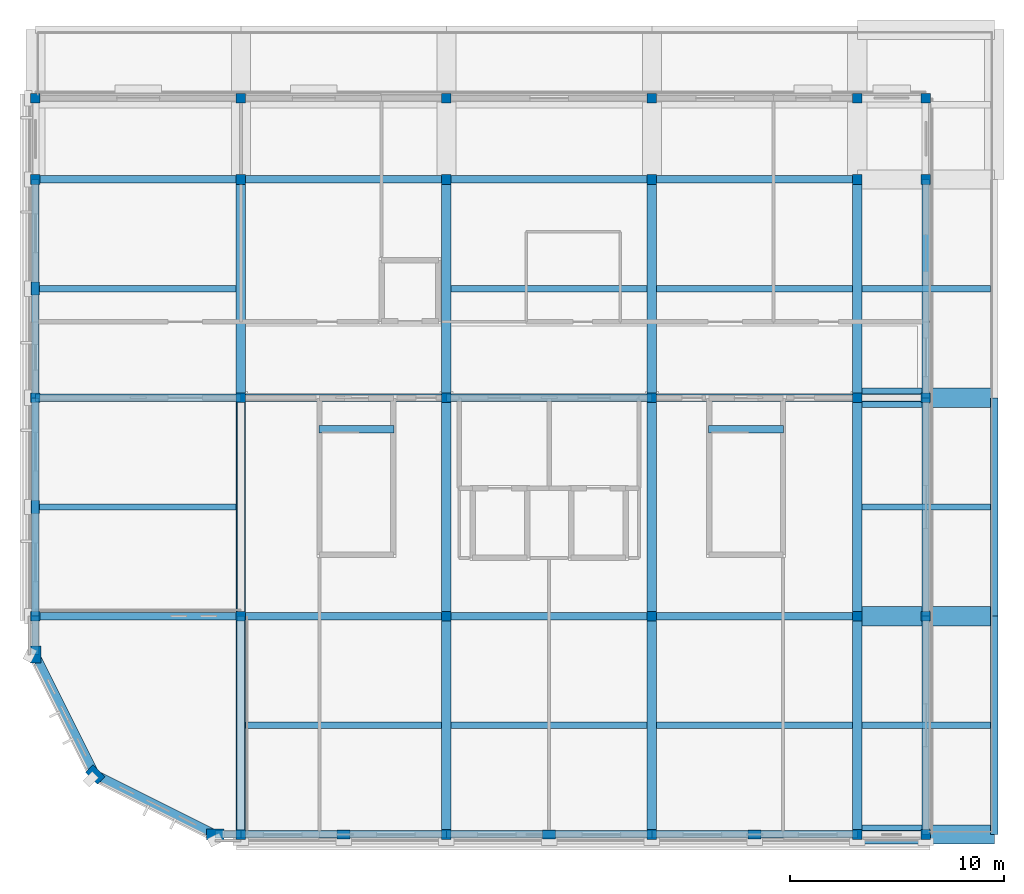
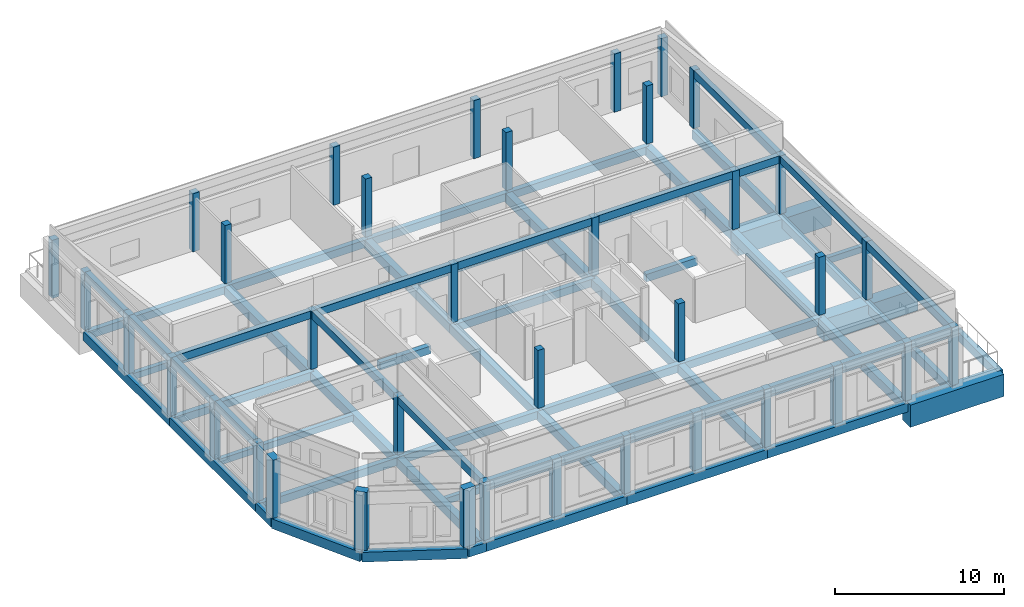
# One storey, part 1 of 8: 67 beams, 37 columns.
"""IFC4 building model written with IfcOpenShell, lengths in metres."""

from ifc_helpers import new_model, si_unit, direction, frame, origin, origin_2d, place, context, subcontext, project, spatial, rectangle, extrude, material, material_profile, profile_set, type_object, element, save


model = new_model("IFC4")

# Units and contexts
model_context = context("Model", 3, precision=1e-05, world=origin(), true_north=direction((0.0, 1.0)))
body_context = subcontext(model_context, "Body", "Model", "MODEL_VIEW")
ifc_project = project(units=[si_unit("LENGTHUNIT", "METRE"), si_unit("AREAUNIT", "SQUARE_METRE"), si_unit("VOLUMEUNIT", "CUBIC_METRE"), si_unit("PLANEANGLEUNIT", "RADIAN"), si_unit("MASSUNIT", "GRAM", prefix="KILO")], contexts=[model_context])

# Site, building, storey
site_placement = place(None, origin())
site = spatial("IfcSite", under=ifc_project, at=site_placement, CompositionType="ELEMENT")
building_placement = place(site_placement, origin())
building = spatial("IfcBuilding", under=site, at=building_placement, Name="Vondelvale Polytechnic", CompositionType="ELEMENT")
storey_placement = place(building_placement, frame((0.0, 0.0, 30.60009765625)))
storey = spatial("IfcBuildingStorey", under=building, at=storey_placement, Name="L07", CompositionType="ELEMENT", Elevation=30.60009765625)

# Columns
ifc_material_1 = material(Name="Concrete N50 (f'c = 50 MPa)", Category="concrete")
ifc_material_profile_1 = material_profile(ifc_material_1, rectangle(XDim=0.449951171875, YDim=0.449951171875, at=origin_2d()), Name="RC-COL-450x450")
ifc_profile_set_1 = profile_set([ifc_material_profile_1], Name="Concrete N50 (f'c = 50 MPa)")
column_type_1 = type_object("IfcColumnType", Name="COL-RC450", PredefinedType="COLUMN", material=ifc_profile_set_1)
for number, where, z_axis, x_axis, name in (
    (1, (0.0, 10.199951171875, 0.0), (0.0, 0.0, 1.0), (1.0, 0.0, 0.0), "L07 corner wing column (0.0,10.2)"),
    (2, (0.0, 20.39990234375, 0.0), (0.0, 0.0, 1.0), (1.0, 0.0, 0.0), "L07 corner wing column (0.0,20.4)"),
    (3, (0.0, 30.60009765625, 0.0), (0.0, 0.0, 1.0), (1.0, 0.0, 0.0), "L07 corner wing column (0.0,30.6)"),
    (4, (0.0, 34.39990234375, 0.0), (0.0, 0.0, 1.0), (1.0, 0.0, 0.0), "L07 corner wing column (0.0,34.4)"),
    (5, (9.60009765625, 0.0, 0.0), (0.0, 0.0, 1.0), (1.0, 0.0, 0.0), "L07 corner wing column (9.6,0.0)"),
    (6, (9.60009765625, 10.199951171875, 0.0), (0.0, 0.0, 1.0), (1.0, 0.0, 0.0), "L07 corner wing column (9.6,10.2)"),
    (7, (9.60009765625, 20.39990234375, 0.0), (0.0, 0.0, 1.0), (1.0, 0.0, 0.0), "L07 corner wing column (9.6,20.4)"),
    (8, (9.60009765625, 30.60009765625, 0.0), (0.0, 0.0, 1.0), (1.0, 0.0, 0.0), "L07 corner wing column (9.6,30.6)"),
    (9, (9.60009765625, 34.39990234375, 0.0), (0.0, 0.0, 1.0), (1.0, 0.0, 0.0), "L07 corner wing column (9.6,34.4)"),
    (10, (19.199951171875, 0.0, 0.0), (0.0, 0.0, 1.0), (1.0, 0.0, 0.0), "L07 corner wing column (19.2,0.0)"),
    (11, (19.199951171875, 10.199951171875, 0.0), (0.0, 0.0, 1.0), (1.0, 0.0, 0.0), "L07 corner wing column (19.2,10.2)"),
    (12, (19.199951171875, 20.39990234375, 0.0), (0.0, 0.0, 1.0), (1.0, 0.0, 0.0), "L07 corner wing column (19.2,20.4)"),
    (13, (19.199951171875, 30.60009765625, 0.0), (0.0, 0.0, 1.0), (1.0, 0.0, 0.0), "L07 corner wing column (19.2,30.6)"),
    (14, (19.199951171875, 34.39990234375, 0.0), (0.0, 0.0, 1.0), (1.0, 0.0, 0.0), "L07 corner wing column (19.2,34.4)"),
    (15, (28.800048828125, 0.0, 0.0), (0.0, 0.0, 1.0), (1.0, 0.0, 0.0), "L07 corner wing column (28.8,0.0)"),
    (16, (28.800048828125, 10.199951171875, 0.0), (0.0, 0.0, 1.0), (1.0, 0.0, 0.0), "L07 corner wing column (28.8,10.2)"),
    (17, (28.800048828125, 20.39990234375, 0.0), (0.0, 0.0, 1.0), (1.0, 0.0, 0.0), "L07 corner wing column (28.8,20.4)"),
    (18, (28.800048828125, 30.60009765625, 0.0), (0.0, 0.0, 1.0), (1.0, 0.0, 0.0), "L07 corner wing column (28.8,30.6)"),
    (19, (28.800048828125, 34.39990234375, 0.0), (0.0, 0.0, 1.0), (1.0, 0.0, 0.0), "L07 corner wing column (28.8,34.4)"),
    (20, (38.39990234375, 0.0, 0.0), (0.0, 0.0, 1.0), (1.0, 0.0, 0.0), "L07 corner wing column (38.4,0.0)"),
    (21, (38.39990234375, 10.199951171875, 0.0), (0.0, 0.0, 1.0), (1.0, 0.0, 0.0), "L07 corner wing column (38.4,10.2)"),
    (22, (38.39990234375, 20.39990234375, 0.0), (0.0, 0.0, 1.0), (1.0, 0.0, 0.0), "L07 corner wing column (38.4,20.4)"),
    (23, (38.39990234375, 30.60009765625, 0.0), (0.0, 0.0, 1.0), (1.0, 0.0, 0.0), "L07 corner wing column (38.4,30.6)"),
    (24, (38.39990234375, 34.39990234375, 0.0), (0.0, 0.0, 1.0), (1.0, 0.0, 0.0), "L07 corner wing column (38.4,34.4)"),
    (25, (41.60009765625, 0.0, 0.0), (0.0, 0.0, 1.0), (1.0, 0.0, 0.0), "L07 corner wing column (41.6,0.0)"),
    (26, (41.60009765625, 10.199951171875, 0.0), (0.0, 0.0, 1.0), (1.0, 0.0, 0.0), "L07 corner wing column (41.6,10.2)"),
    (27, (41.60009765625, 20.39990234375, 0.0), (0.0, 0.0, 1.0), (1.0, 0.0, 0.0), "L07 corner wing column (41.6,20.4)"),
    (28, (41.60009765625, 30.60009765625, 0.0), (0.0, 0.0, 1.0), (1.0, 0.0, 0.0), "L07 corner wing column (41.6,30.6)"),
    (29, (41.60009765625, 34.39990234375, 0.0), (0.0, 0.0, 1.0), (1.0, 0.0, 0.0), "L07 corner wing column (41.6,34.4)"),
):
    element("IfcColumn", number, at=place(storey_placement, frame(where, z_axis=z_axis, x_axis=x_axis)), inside=storey, type_object=column_type_1, Name=name, PredefinedType="COLUMN", context=body_context, shape_type="SweptSolid", body=[
        extrude(rectangle(XDim=0.449951171875, YDim=0.449951171875, at=origin_2d()), origin(), (0.0, 0.0, 1.0), 4.199951171875),
    ])
ifc_material_profile_2 = material_profile(ifc_material_1, rectangle(XDim=0.39990234375, YDim=0.60009765625, at=origin_2d()), Name="RC-PIL-600x400")
ifc_profile_set_2 = profile_set([ifc_material_profile_2], Name="Concrete N50 (f'c = 50 MPa)")
column_type_2 = type_object("IfcColumnType", Name="PIL-RC600x400", PredefinedType="PILASTER", material=ifc_profile_set_2)
for number, where, z_axis, x_axis, name in (
    (30, (14.39990234375, 0.0, 0.0), (0.0, 0.0, 1.0), (0.0, 1.0, 0.0), "L07 South street brick pilaster 1"),
    (31, (24.0, 0.0, 0.0), (0.0, 0.0, 1.0), (0.0, 1.0, 0.0), "L07 South street brick pilaster 2"),
    (32, (33.60009765625, 0.0, 0.0), (0.0, 0.0, 1.0), (0.0, 1.0, 0.0), "L07 South street brick pilaster 3"),
    (33, (0.0, 15.300048828125, 0.0), (0.0, 0.0, 1.0), (1.0, 0.0, 0.0), "L07 West street brick pilaster 1"),
    (34, (0.0, 25.5, 0.0), (0.0, 0.0, 1.0), (1.0, 0.0, 0.0), "L07 West street brick pilaster 2"),
):
    element("IfcColumn", number, at=place(storey_placement, frame(where, z_axis=z_axis, x_axis=x_axis)), inside=storey, type_object=column_type_2, Name=name, PredefinedType="PILASTER", context=body_context, shape_type="SweptSolid", body=[
        extrude(rectangle(XDim=0.39990234375, YDim=0.60009765625, at=origin_2d()), origin(), (0.0, 0.0, 1.0), 4.199951171875),
    ])
ifc_material_profile_3 = material_profile(ifc_material_1, rectangle(XDim=0.5, YDim=0.800048828125, at=origin_2d()), Name="RC-PIL-800x500")
ifc_profile_set_3 = profile_set([ifc_material_profile_3], Name="Concrete N50 (f'c = 50 MPa)")
column_type_3 = type_object("IfcColumnType", Name="PIL-RC800x500", PredefinedType="PILASTER", material=ifc_profile_set_3)
for number, where, z_axis, x_axis, name in (
    (35, (8.39990234375, 0.0, 0.0), (0.0, 0.0, 1.0), (0.0, 1.0, 0.0), "L07 SW corner turret pier TR-S"),
    (36, (2.800048828125, 2.800048828125, 0.0), (0.0, 0.0, 1.0), (0.707106781187, 0.707106781187, 0.0), "L07 SW corner turret pier TR-M"),
    (37, (0.0, 8.39990234375, 0.0), (0.0, 0.0, 1.0), (1.0, 0.0, 0.0), "L07 SW corner turret pier TR-W"),
):
    element("IfcColumn", number, at=place(storey_placement, frame(where, z_axis=z_axis, x_axis=x_axis)), inside=storey, type_object=column_type_3, Name=name, PredefinedType="PILASTER", context=body_context, shape_type="SweptSolid", body=[
        extrude(rectangle(XDim=0.5, YDim=0.800048828125, at=origin_2d()), origin(), (0.0, 0.0, 1.0), 4.199951171875),
    ])

# Beams
ifc_material_2 = material(Name="Concrete N40 (f'c = 40 MPa)", Category="concrete")
ifc_material_profile_4 = material_profile(ifc_material_2, rectangle(XDim=0.35009765625, YDim=0.550048828125, at=origin_2d()), Name="RC-BM-350x550")
ifc_profile_set_4 = profile_set([ifc_material_profile_4], Name="Concrete N40 (f'c = 40 MPa)")
beam_type_1 = type_object("IfcBeamType", Name="BM-RC350x550", PredefinedType="BEAM", material=ifc_profile_set_4)
for number, where, z_axis, x_axis, name in (
    (38, (13.25, 18.925048828125, -0.275146484375), (1.0, 0.0, 0.0), (0.0, 1.0, 0.0), "L07 STHD B-06"),
    (39, (31.449951171875, 18.925048828125, -0.275146484375), (1.0, 0.0, 0.0), (0.0, 1.0, 0.0), "L07 STHD B-06"),
):
    element("IfcBeam", number, at=place(storey_placement, frame(where, z_axis=z_axis, x_axis=x_axis)), inside=storey, type_object=beam_type_1, Name=name, PredefinedType="BEAM", context=body_context, shape_type="SweptSolid", body=[
        extrude(rectangle(XDim=0.35009765625, YDim=0.550048828125, at=origin_2d()), origin(), (0.0, 0.0, 1.0), 3.5),
    ])
beam_1_placement = place(storey_placement, frame((0.0, 10.199951171875, -0.5), z_axis=(1.0, 0.0, 0.0), x_axis=(0.0, 1.0, 0.0)))
element("IfcBeam", 40, at=beam_1_placement, inside=storey, type_object=beam_type_1, Name="L07 B B-06", PredefinedType="BEAM", context=body_context, shape_type="SweptSolid", body=[
    extrude(rectangle(XDim=0.35009765625, YDim=0.550048828125, at=origin_2d()), origin(), (0.0, 0.0, 1.0), 9.60009765625),
])
beam_2_placement = place(storey_placement, frame((9.60009765625, 10.199951171875, -0.5), z_axis=(1.0, 0.0, 0.0), x_axis=(0.0, 1.0, 0.0)))
element("IfcBeam", 41, at=beam_2_placement, inside=storey, type_object=beam_type_1, Name="L07 B B-06", PredefinedType="BEAM", context=body_context, shape_type="SweptSolid", body=[
    extrude(rectangle(XDim=0.35009765625, YDim=0.550048828125, at=origin_2d()), origin(), (0.0, 0.0, 1.0), 9.599853515625),
])
beam_3_placement = place(storey_placement, frame((19.199951171875, 10.199951171875, -0.5), z_axis=(1.0, 0.0, 0.0), x_axis=(0.0, 1.0, 0.0)))
element("IfcBeam", 42, at=beam_3_placement, inside=storey, type_object=beam_type_1, Name="L07 B B-06", PredefinedType="BEAM", context=body_context, shape_type="SweptSolid", body=[
    extrude(rectangle(XDim=0.35009765625, YDim=0.550048828125, at=origin_2d()), origin(), (0.0, 0.0, 1.0), 9.60009765625),
])
beam_4_placement = place(storey_placement, frame((28.800048828125, 10.199951171875, -0.5), z_axis=(1.0, 0.0, 0.0), x_axis=(0.0, 1.0, 0.0)))
element("IfcBeam", 43, at=beam_4_placement, inside=storey, type_object=beam_type_1, Name="L07 B B-06", PredefinedType="BEAM", context=body_context, shape_type="SweptSolid", body=[
    extrude(rectangle(XDim=0.35009765625, YDim=0.550048828125, at=origin_2d()), origin(), (0.0, 0.0, 1.0), 9.599853515625),
])
for number, where, z_axis, x_axis, name in (
    (44, (0.0, 20.39990234375, -0.5), (1.0, 0.0, 0.0), (0.0, 1.0, 0.0), "L07 B B-06"),
    (45, (19.199951171875, 20.39990234375, -0.5), (1.0, 0.0, 0.0), (0.0, 1.0, 0.0), "L07 B B-06"),
    (46, (0.0, 30.60009765625, -0.5), (1.0, 0.0, 0.0), (0.0, 1.0, 0.0), "L07 B B-06"),
):
    element("IfcBeam", number, at=place(storey_placement, frame(where, z_axis=z_axis, x_axis=x_axis)), inside=storey, type_object=beam_type_1, Name=name, PredefinedType="BEAM", context=body_context, shape_type="SweptSolid", body=[
        extrude(rectangle(XDim=0.35009765625, YDim=0.550048828125, at=origin_2d()), origin(), (0.0, 0.0, 1.0), 9.60009765625),
    ])
beam_5_placement = place(storey_placement, frame((9.60009765625, 30.60009765625, -0.5), z_axis=(1.0, 0.0, 0.0), x_axis=(0.0, 1.0, 0.0)))
element("IfcBeam", 47, at=beam_5_placement, inside=storey, type_object=beam_type_1, Name="L07 B B-06", PredefinedType="BEAM", context=body_context, shape_type="SweptSolid", body=[
    extrude(rectangle(XDim=0.35009765625, YDim=0.550048828125, at=origin_2d()), origin(), (0.0, 0.0, 1.0), 9.599853515625),
])
beam_6_placement = place(storey_placement, frame((19.199951171875, 30.60009765625, -0.5), z_axis=(1.0, 0.0, 0.0), x_axis=(0.0, 1.0, 0.0)))
element("IfcBeam", 48, at=beam_6_placement, inside=storey, type_object=beam_type_1, Name="L07 B B-06", PredefinedType="BEAM", context=body_context, shape_type="SweptSolid", body=[
    extrude(rectangle(XDim=0.35009765625, YDim=0.550048828125, at=origin_2d()), origin(), (0.0, 0.0, 1.0), 9.60009765625),
])
for number, where, z_axis, x_axis, name in (
    (49, (28.800048828125, 30.60009765625, -0.5), (1.0, 0.0, 0.0), (0.0, 1.0, 0.0), "L07 B B-06"),
    (50, (9.60009765625, 0.0, 3.9248046875), (1.0, 0.0, 0.0), (0.0, 1.0, 0.0), "L07 RT B-06"),
):
    element("IfcBeam", number, at=place(storey_placement, frame(where, z_axis=z_axis, x_axis=x_axis)), inside=storey, type_object=beam_type_1, Name=name, PredefinedType="BEAM", context=body_context, shape_type="SweptSolid", body=[
        extrude(rectangle(XDim=0.35009765625, YDim=0.550048828125, at=origin_2d()), origin(), (0.0, 0.0, 1.0), 9.599853515625),
    ])
beam_7_placement = place(storey_placement, frame((19.199951171875, 0.0, 3.9248046875), z_axis=(1.0, 0.0, 0.0), x_axis=(0.0, 1.0, 0.0)))
element("IfcBeam", 51, at=beam_7_placement, inside=storey, type_object=beam_type_1, Name="L07 RT B-06", PredefinedType="BEAM", context=body_context, shape_type="SweptSolid", body=[
    extrude(rectangle(XDim=0.35009765625, YDim=0.550048828125, at=origin_2d()), origin(), (0.0, 0.0, 1.0), 9.60009765625),
])
beam_8_placement = place(storey_placement, frame((28.800048828125, 0.0, 3.9248046875), z_axis=(1.0, 0.0, 0.0), x_axis=(0.0, 1.0, 0.0)))
element("IfcBeam", 52, at=beam_8_placement, inside=storey, type_object=beam_type_1, Name="L07 RT B-06", PredefinedType="BEAM", context=body_context, shape_type="SweptSolid", body=[
    extrude(rectangle(XDim=0.35009765625, YDim=0.550048828125, at=origin_2d()), origin(), (0.0, 0.0, 1.0), 9.599853515625),
])
beam_9_placement = place(storey_placement, frame((38.39990234375, 0.0, 3.9248046875), z_axis=(1.0, 0.0, 0.0), x_axis=(0.0, 1.0, 0.0)))
element("IfcBeam", 53, at=beam_9_placement, inside=storey, type_object=beam_type_1, Name="L07 RT B-06", PredefinedType="BEAM", context=body_context, shape_type="SweptSolid", body=[
    extrude(rectangle(XDim=0.35009765625, YDim=0.550048828125, at=origin_2d()), origin(), (0.0, 0.0, 1.0), 3.2001953125),
])
beam_10_placement = place(storey_placement, frame((0.0, 20.39990234375, 3.9248046875), z_axis=(1.0, 0.0, 0.0), x_axis=(0.0, 1.0, 0.0)))
element("IfcBeam", 54, at=beam_10_placement, inside=storey, type_object=beam_type_1, Name="L07 RT B-06", PredefinedType="BEAM", context=body_context, shape_type="SweptSolid", body=[
    extrude(rectangle(XDim=0.35009765625, YDim=0.550048828125, at=origin_2d()), origin(), (0.0, 0.0, 1.0), 9.60009765625),
])
beam_11_placement = place(storey_placement, frame((9.60009765625, 20.39990234375, 3.9248046875), z_axis=(1.0, 0.0, 0.0), x_axis=(0.0, 1.0, 0.0)))
element("IfcBeam", 55, at=beam_11_placement, inside=storey, type_object=beam_type_1, Name="L07 RT B-06", PredefinedType="BEAM", context=body_context, shape_type="SweptSolid", body=[
    extrude(rectangle(XDim=0.35009765625, YDim=0.550048828125, at=origin_2d()), origin(), (0.0, 0.0, 1.0), 9.599853515625),
])
beam_12_placement = place(storey_placement, frame((19.199951171875, 20.39990234375, 3.9248046875), z_axis=(1.0, 0.0, 0.0), x_axis=(0.0, 1.0, 0.0)))
element("IfcBeam", 56, at=beam_12_placement, inside=storey, type_object=beam_type_1, Name="L07 RT B-06", PredefinedType="BEAM", context=body_context, shape_type="SweptSolid", body=[
    extrude(rectangle(XDim=0.35009765625, YDim=0.550048828125, at=origin_2d()), origin(), (0.0, 0.0, 1.0), 9.60009765625),
])
beam_13_placement = place(storey_placement, frame((28.800048828125, 20.39990234375, 3.9248046875), z_axis=(1.0, 0.0, 0.0), x_axis=(0.0, 1.0, 0.0)))
element("IfcBeam", 57, at=beam_13_placement, inside=storey, type_object=beam_type_1, Name="L07 RT B-06", PredefinedType="BEAM", context=body_context, shape_type="SweptSolid", body=[
    extrude(rectangle(XDim=0.35009765625, YDim=0.550048828125, at=origin_2d()), origin(), (0.0, 0.0, 1.0), 9.599853515625),
])
beam_14_placement = place(storey_placement, frame((38.39990234375, 20.39990234375, 3.9248046875), z_axis=(1.0, 0.0, 0.0), x_axis=(0.0, 1.0, 0.0)))
element("IfcBeam", 58, at=beam_14_placement, inside=storey, type_object=beam_type_1, Name="L07 RT B-06", PredefinedType="BEAM", context=body_context, shape_type="SweptSolid", body=[
    extrude(rectangle(XDim=0.35009765625, YDim=0.550048828125, at=origin_2d()), origin(), (0.0, 0.0, 1.0), 3.2001953125),
])
beam_15_placement = place(storey_placement, frame((0.0, 10.199951171875, 3.9248046875), z_axis=(0.0, 1.0, 0.0), x_axis=(-1.0, 0.0, 0.0)))
element("IfcBeam", 59, at=beam_15_placement, inside=storey, type_object=beam_type_1, Name="L07 RT B-06", PredefinedType="BEAM", context=body_context, shape_type="SweptSolid", body=[
    extrude(rectangle(XDim=0.35009765625, YDim=0.550048828125, at=origin_2d()), origin(), (0.0, 0.0, 1.0), 10.199951171875),
])
beam_16_placement = place(storey_placement, frame((0.0, 20.39990234375, 3.9248046875), z_axis=(0.0, 1.0, 0.0), x_axis=(-1.0, 0.0, 0.0)))
element("IfcBeam", 60, at=beam_16_placement, inside=storey, type_object=beam_type_1, Name="L07 RT B-06", PredefinedType="BEAM", context=body_context, shape_type="SweptSolid", body=[
    extrude(rectangle(XDim=0.35009765625, YDim=0.550048828125, at=origin_2d()), origin(), (0.0, 0.0, 1.0), 10.2001953125),
])
for number, where, z_axis, x_axis, name in (
    (61, (9.60009765625, 0.0, 3.9248046875), (0.0, 1.0, 0.0), (-1.0, 0.0, 0.0), "L07 RT B-06"),
    (62, (9.60009765625, 10.199951171875, 3.9248046875), (0.0, 1.0, 0.0), (-1.0, 0.0, 0.0), "L07 RT B-06"),
    (63, (41.60009765625, 0.0, 3.9248046875), (0.0, 1.0, 0.0), (-1.0, 0.0, 0.0), "L07 RT B-06"),
    (64, (41.60009765625, 10.199951171875, 3.9248046875), (0.0, 1.0, 0.0), (-1.0, 0.0, 0.0), "L07 RT B-06"),
):
    element("IfcBeam", number, at=place(storey_placement, frame(where, z_axis=z_axis, x_axis=x_axis)), inside=storey, type_object=beam_type_1, Name=name, PredefinedType="BEAM", context=body_context, shape_type="SweptSolid", body=[
        extrude(rectangle(XDim=0.35009765625, YDim=0.550048828125, at=origin_2d()), origin(), (0.0, 0.0, 1.0), 10.199951171875),
    ])
beam_17_placement = place(storey_placement, frame((41.60009765625, 20.39990234375, 3.9248046875), z_axis=(0.0, 1.0, 0.0), x_axis=(-1.0, 0.0, 0.0)))
element("IfcBeam", 65, at=beam_17_placement, inside=storey, type_object=beam_type_1, Name="L07 RT B-06", PredefinedType="BEAM", context=body_context, shape_type="SweptSolid", body=[
    extrude(rectangle(XDim=0.35009765625, YDim=0.550048828125, at=origin_2d()), origin(), (0.0, 0.0, 1.0), 10.2001953125),
])
ifc_material_profile_5 = material_profile(ifc_material_2, rectangle(XDim=0.449951171875, YDim=0.64990234375, at=origin_2d()), Name="RC-BM-450x650")
ifc_profile_set_5 = profile_set([ifc_material_profile_5], Name="Concrete N40 (f'c = 40 MPa)")
beam_type_2 = type_object("IfcBeamType", Name="BM-RC450x650", PredefinedType="BEAM", material=ifc_profile_set_5)
for number, where, z_axis, x_axis, name in (
    (66, (9.60009765625, 0.0, -0.550048828125), (0.0, 1.0, 0.0), (-1.0, 0.0, 0.0), "L07 B B-04"),
    (67, (9.60009765625, 10.199951171875, -0.550048828125), (0.0, 1.0, 0.0), (-1.0, 0.0, 0.0), "L07 B B-04"),
):
    element("IfcBeam", number, at=place(storey_placement, frame(where, z_axis=z_axis, x_axis=x_axis)), inside=storey, type_object=beam_type_2, Name=name, PredefinedType="BEAM", context=body_context, shape_type="SweptSolid", body=[
        extrude(rectangle(XDim=0.449951171875, YDim=0.64990234375, at=origin_2d()), origin(), (0.0, 0.0, 1.0), 10.199951171875),
    ])
beam_18_placement = place(storey_placement, frame((9.60009765625, 20.39990234375, -0.550048828125), z_axis=(0.0, 1.0, 0.0), x_axis=(-1.0, 0.0, 0.0)))
element("IfcBeam", 68, at=beam_18_placement, inside=storey, type_object=beam_type_2, Name="L07 B B-04", PredefinedType="BEAM", context=body_context, shape_type="SweptSolid", body=[
    extrude(rectangle(XDim=0.449951171875, YDim=0.64990234375, at=origin_2d()), origin(), (0.0, 0.0, 1.0), 10.2001953125),
])
for number, where, z_axis, x_axis, name in (
    (69, (19.199951171875, 0.0, -0.550048828125), (0.0, 1.0, 0.0), (-1.0, 0.0, 0.0), "L07 B B-04"),
    (70, (19.199951171875, 10.199951171875, -0.550048828125), (0.0, 1.0, 0.0), (-1.0, 0.0, 0.0), "L07 B B-04"),
):
    element("IfcBeam", number, at=place(storey_placement, frame(where, z_axis=z_axis, x_axis=x_axis)), inside=storey, type_object=beam_type_2, Name=name, PredefinedType="BEAM", context=body_context, shape_type="SweptSolid", body=[
        extrude(rectangle(XDim=0.449951171875, YDim=0.64990234375, at=origin_2d()), origin(), (0.0, 0.0, 1.0), 10.199951171875),
    ])
beam_19_placement = place(storey_placement, frame((19.199951171875, 20.39990234375, -0.550048828125), z_axis=(0.0, 1.0, 0.0), x_axis=(-1.0, 0.0, 0.0)))
element("IfcBeam", 71, at=beam_19_placement, inside=storey, type_object=beam_type_2, Name="L07 B B-04", PredefinedType="BEAM", context=body_context, shape_type="SweptSolid", body=[
    extrude(rectangle(XDim=0.449951171875, YDim=0.64990234375, at=origin_2d()), origin(), (0.0, 0.0, 1.0), 10.2001953125),
])
for number, where, z_axis, x_axis, name in (
    (72, (28.800048828125, 0.0, -0.550048828125), (0.0, 1.0, 0.0), (-1.0, 0.0, 0.0), "L07 B B-04"),
    (73, (28.800048828125, 10.199951171875, -0.550048828125), (0.0, 1.0, 0.0), (-1.0, 0.0, 0.0), "L07 B B-04"),
):
    element("IfcBeam", number, at=place(storey_placement, frame(where, z_axis=z_axis, x_axis=x_axis)), inside=storey, type_object=beam_type_2, Name=name, PredefinedType="BEAM", context=body_context, shape_type="SweptSolid", body=[
        extrude(rectangle(XDim=0.449951171875, YDim=0.64990234375, at=origin_2d()), origin(), (0.0, 0.0, 1.0), 10.199951171875),
    ])
beam_20_placement = place(storey_placement, frame((28.800048828125, 20.39990234375, -0.550048828125), z_axis=(0.0, 1.0, 0.0), x_axis=(-1.0, 0.0, 0.0)))
element("IfcBeam", 74, at=beam_20_placement, inside=storey, type_object=beam_type_2, Name="L07 B B-04", PredefinedType="BEAM", context=body_context, shape_type="SweptSolid", body=[
    extrude(rectangle(XDim=0.449951171875, YDim=0.64990234375, at=origin_2d()), origin(), (0.0, 0.0, 1.0), 10.2001953125),
])
for number, where, z_axis, x_axis, name in (
    (75, (38.39990234375, 0.0, -0.550048828125), (0.0, 1.0, 0.0), (-1.0, 0.0, 0.0), "L07 B B-04"),
    (76, (38.39990234375, 10.199951171875, -0.550048828125), (0.0, 1.0, 0.0), (-1.0, 0.0, 0.0), "L07 B B-04"),
):
    element("IfcBeam", number, at=place(storey_placement, frame(where, z_axis=z_axis, x_axis=x_axis)), inside=storey, type_object=beam_type_2, Name=name, PredefinedType="BEAM", context=body_context, shape_type="SweptSolid", body=[
        extrude(rectangle(XDim=0.449951171875, YDim=0.64990234375, at=origin_2d()), origin(), (0.0, 0.0, 1.0), 10.199951171875),
    ])
beam_21_placement = place(storey_placement, frame((38.39990234375, 20.39990234375, -0.550048828125), z_axis=(0.0, 1.0, 0.0), x_axis=(-1.0, 0.0, 0.0)))
element("IfcBeam", 77, at=beam_21_placement, inside=storey, type_object=beam_type_2, Name="L07 B B-04", PredefinedType="BEAM", context=body_context, shape_type="SweptSolid", body=[
    extrude(rectangle(XDim=0.449951171875, YDim=0.64990234375, at=origin_2d()), origin(), (0.0, 0.0, 1.0), 10.2001953125),
])
ifc_material_profile_6 = material_profile(ifc_material_1, rectangle(XDim=0.89990234375, YDim=1.60009765625, at=origin_2d()), Name="RC-TG-900x1600")
ifc_profile_set_6 = profile_set([ifc_material_profile_6], Name="Concrete N50 (f'c = 50 MPa)")
beam_type_3 = type_object("IfcBeamType", Name="BM-TG1600", PredefinedType="BEAM", material=ifc_profile_set_6)
for number, where, z_axis, x_axis, name in (
    (78, (38.39990234375, 0.0, -1.025146484375), (1.0, 0.0, 0.0), (0.0, 1.0, 0.0), "L07 reinforced concrete transfer girder TG-02"),
    (79, (38.39990234375, 10.199951171875, -1.025146484375), (1.0, 0.0, 0.0), (0.0, 1.0, 0.0), "L07 reinforced concrete transfer girder TG-02"),
    (80, (38.39990234375, 20.39990234375, -1.025146484375), (1.0, 0.0, 0.0), (0.0, 1.0, 0.0), "L07 reinforced concrete transfer girder TG-02"),
):
    element("IfcBeam", number, at=place(storey_placement, frame(where, z_axis=z_axis, x_axis=x_axis)), inside=storey, type_object=beam_type_3, Name=name, PredefinedType="BEAM", context=body_context, shape_type="SweptSolid", body=[
        extrude(rectangle(XDim=0.89990234375, YDim=1.60009765625, at=origin_2d()), origin(), (0.0, 0.0, 1.0), 6.400146484375),
    ])
ifc_material_profile_7 = material_profile(ifc_material_2, rectangle(XDim=0.300048828125, YDim=0.449951171875, at=origin_2d()), Name="RC-JST-300x450")
ifc_profile_set_7 = profile_set([ifc_material_profile_7], Name="Concrete N40 (f'c = 40 MPa)")
beam_type_4 = type_object("IfcBeamType", Name="JST-RC300x450", PredefinedType="JOIST", material=ifc_profile_set_7)
beam_22_placement = place(storey_placement, frame((9.824951171875, 5.10009765625, -0.4501953125), z_axis=(1.0, 0.0, 0.0), x_axis=(0.0, 1.0, 0.0)))
element("IfcBeam", 81, at=beam_22_placement, inside=storey, type_object=beam_type_4, Name="L07 J J-03", PredefinedType="JOIST", context=body_context, shape_type="SweptSolid", body=[
    extrude(rectangle(XDim=0.300048828125, YDim=0.449951171875, at=origin_2d()), origin(), (0.0, 0.0, 1.0), 9.150146484375),
])
beam_23_placement = place(storey_placement, frame((19.425048828125, 5.10009765625, -0.4501953125), z_axis=(1.0, 0.0, 0.0), x_axis=(0.0, 1.0, 0.0)))
element("IfcBeam", 82, at=beam_23_placement, inside=storey, type_object=beam_type_4, Name="L07 J J-03", PredefinedType="JOIST", context=body_context, shape_type="SweptSolid", body=[
    extrude(rectangle(XDim=0.300048828125, YDim=0.449951171875, at=origin_2d()), origin(), (0.0, 0.0, 1.0), 9.14990234375),
])
beam_24_placement = place(storey_placement, frame((29.02490234375, 5.10009765625, -0.4501953125), z_axis=(1.0, 0.0, 0.0), x_axis=(0.0, 1.0, 0.0)))
element("IfcBeam", 83, at=beam_24_placement, inside=storey, type_object=beam_type_4, Name="L07 J J-03", PredefinedType="JOIST", context=body_context, shape_type="SweptSolid", body=[
    extrude(rectangle(XDim=0.300048828125, YDim=0.449951171875, at=origin_2d()), origin(), (0.0, 0.0, 1.0), 9.150146484375),
])
beam_25_placement = place(storey_placement, frame((38.625, 5.10009765625, -0.4501953125), z_axis=(1.0, 0.0, 0.0), x_axis=(0.0, 1.0, 0.0)))
element("IfcBeam", 84, at=beam_25_placement, inside=storey, type_object=beam_type_4, Name="L07 J J-03", PredefinedType="JOIST", context=body_context, shape_type="SweptSolid", body=[
    extrude(rectangle(XDim=0.300048828125, YDim=0.449951171875, at=origin_2d()), origin(), (0.0, 0.0, 1.0), 6.0),
])
beam_26_placement = place(storey_placement, frame((0.175048828125, 15.300048828125, -0.4501953125), z_axis=(1.0, 0.0, 0.0), x_axis=(0.0, 1.0, 0.0)))
element("IfcBeam", 85, at=beam_26_placement, inside=storey, type_object=beam_type_4, Name="L07 J J-03", PredefinedType="JOIST", context=body_context, shape_type="SweptSolid", body=[
    extrude(rectangle(XDim=0.300048828125, YDim=0.449951171875, at=origin_2d()), origin(), (0.0, 0.0, 1.0), 9.199951171875),
])
beam_27_placement = place(storey_placement, frame((38.625, 15.300048828125, -0.4501953125), z_axis=(1.0, 0.0, 0.0), x_axis=(0.0, 1.0, 0.0)))
element("IfcBeam", 86, at=beam_27_placement, inside=storey, type_object=beam_type_4, Name="L07 J J-03", PredefinedType="JOIST", context=body_context, shape_type="SweptSolid", body=[
    extrude(rectangle(XDim=0.300048828125, YDim=0.449951171875, at=origin_2d()), origin(), (0.0, 0.0, 1.0), 6.0),
])
beam_28_placement = place(storey_placement, frame((0.175048828125, 25.5, -0.4501953125), z_axis=(1.0, 0.0, 0.0), x_axis=(0.0, 1.0, 0.0)))
element("IfcBeam", 87, at=beam_28_placement, inside=storey, type_object=beam_type_4, Name="L07 J J-03", PredefinedType="JOIST", context=body_context, shape_type="SweptSolid", body=[
    extrude(rectangle(XDim=0.300048828125, YDim=0.449951171875, at=origin_2d()), origin(), (0.0, 0.0, 1.0), 9.199951171875),
])
beam_29_placement = place(storey_placement, frame((19.425048828125, 25.5, -0.4501953125), z_axis=(1.0, 0.0, 0.0), x_axis=(0.0, 1.0, 0.0)))
element("IfcBeam", 88, at=beam_29_placement, inside=storey, type_object=beam_type_4, Name="L07 J J-03", PredefinedType="JOIST", context=body_context, shape_type="SweptSolid", body=[
    extrude(rectangle(XDim=0.300048828125, YDim=0.449951171875, at=origin_2d()), origin(), (0.0, 0.0, 1.0), 9.14990234375),
])
beam_30_placement = place(storey_placement, frame((29.02490234375, 25.5, -0.4501953125), z_axis=(1.0, 0.0, 0.0), x_axis=(0.0, 1.0, 0.0)))
element("IfcBeam", 89, at=beam_30_placement, inside=storey, type_object=beam_type_4, Name="L07 J J-03", PredefinedType="JOIST", context=body_context, shape_type="SweptSolid", body=[
    extrude(rectangle(XDim=0.300048828125, YDim=0.449951171875, at=origin_2d()), origin(), (0.0, 0.0, 1.0), 9.150146484375),
])
beam_31_placement = place(storey_placement, frame((38.625, 25.5, -0.4501953125), z_axis=(1.0, 0.0, 0.0), x_axis=(0.0, 1.0, 0.0)))
element("IfcBeam", 90, at=beam_31_placement, inside=storey, type_object=beam_type_4, Name="L07 J J-03", PredefinedType="JOIST", context=body_context, shape_type="SweptSolid", body=[
    extrude(rectangle(XDim=0.300048828125, YDim=0.449951171875, at=origin_2d()), origin(), (0.0, 0.0, 1.0), 6.0),
])
ifc_material_3 = material(Name="Precast concrete N40 (f'c = 40 MPa)", Category="concrete")
ifc_material_profile_8 = material_profile(ifc_material_3, rectangle(XDim=0.35009765625, YDim=0.64990234375, at=origin_2d()), Name="RC-SPN-350x650")
ifc_profile_set_8 = profile_set([ifc_material_profile_8], Name="Precast concrete N40 (f'c = 40 MPa)")
beam_type_5 = type_object("IfcBeamType", Name="SPN-PRE350x650", PredefinedType="SPANDREL", material=ifc_profile_set_8)
beam_32_placement = place(storey_placement, frame((8.39990234375, 0.0, -0.550048828125), z_axis=(1.0, 0.0, 0.0), x_axis=(0.0, 1.0, 0.0)))
element("IfcBeam", 91, at=beam_32_placement, inside=storey, type_object=beam_type_5, Name="L07 B SP-02", PredefinedType="SPANDREL", context=body_context, shape_type="SweptSolid", body=[
    extrude(rectangle(XDim=0.35009765625, YDim=0.64990234375, at=origin_2d()), origin(), (0.0, 0.0, 1.0), 1.2001953125),
])
beam_33_placement = place(storey_placement, frame((9.60009765625, 0.0, -0.550048828125), z_axis=(1.0, 0.0, 0.0), x_axis=(0.0, 1.0, 0.0)))
element("IfcBeam", 92, at=beam_33_placement, inside=storey, type_object=beam_type_5, Name="L07 B SP-02", PredefinedType="SPANDREL", context=body_context, shape_type="SweptSolid", body=[
    extrude(rectangle(XDim=0.35009765625, YDim=0.64990234375, at=origin_2d()), origin(), (0.0, 0.0, 1.0), 9.599853515625),
])
beam_34_placement = place(storey_placement, frame((19.199951171875, 0.0, -0.550048828125), z_axis=(1.0, 0.0, 0.0), x_axis=(0.0, 1.0, 0.0)))
element("IfcBeam", 93, at=beam_34_placement, inside=storey, type_object=beam_type_5, Name="L07 B SP-02", PredefinedType="SPANDREL", context=body_context, shape_type="SweptSolid", body=[
    extrude(rectangle(XDim=0.35009765625, YDim=0.64990234375, at=origin_2d()), origin(), (0.0, 0.0, 1.0), 9.60009765625),
])
beam_35_placement = place(storey_placement, frame((28.800048828125, 0.0, -0.550048828125), z_axis=(1.0, 0.0, 0.0), x_axis=(0.0, 1.0, 0.0)))
element("IfcBeam", 94, at=beam_35_placement, inside=storey, type_object=beam_type_5, Name="L07 B SP-02", PredefinedType="SPANDREL", context=body_context, shape_type="SweptSolid", body=[
    extrude(rectangle(XDim=0.35009765625, YDim=0.64990234375, at=origin_2d()), origin(), (0.0, 0.0, 1.0), 9.599853515625),
])
beam_36_placement = place(storey_placement, frame((0.0, 8.39990234375, -0.550048828125), z_axis=(0.0, 1.0, 0.0), x_axis=(-1.0, 0.0, 0.0)))
element("IfcBeam", 95, at=beam_36_placement, inside=storey, type_object=beam_type_5, Name="L07 B SP-02", PredefinedType="SPANDREL", context=body_context, shape_type="SweptSolid", body=[
    extrude(rectangle(XDim=0.35009765625, YDim=0.64990234375, at=origin_2d()), origin(), (0.0, 0.0, 1.0), 1.800048828125),
])
beam_37_placement = place(storey_placement, frame((0.0, 10.199951171875, -0.550048828125), z_axis=(0.0, 1.0, 0.0), x_axis=(-1.0, 0.0, 0.0)))
element("IfcBeam", 96, at=beam_37_placement, inside=storey, type_object=beam_type_5, Name="L07 B SP-02", PredefinedType="SPANDREL", context=body_context, shape_type="SweptSolid", body=[
    extrude(rectangle(XDim=0.35009765625, YDim=0.64990234375, at=origin_2d()), origin(), (0.0, 0.0, 1.0), 10.199951171875),
])
beam_38_placement = place(storey_placement, frame((0.0, 20.39990234375, -0.550048828125), z_axis=(0.0, 1.0, 0.0), x_axis=(-1.0, 0.0, 0.0)))
element("IfcBeam", 97, at=beam_38_placement, inside=storey, type_object=beam_type_5, Name="L07 B SP-02", PredefinedType="SPANDREL", context=body_context, shape_type="SweptSolid", body=[
    extrude(rectangle(XDim=0.35009765625, YDim=0.64990234375, at=origin_2d()), origin(), (0.0, 0.0, 1.0), 10.2001953125),
])
for number, where, z_axis, x_axis, name in (
    (98, (44.800048828125, 0.0, -0.550048828125), (0.0, 1.0, 0.0), (-1.0, 0.0, 0.0), "L07 B SP-02"),
    (99, (44.800048828125, 10.199951171875, -0.550048828125), (0.0, 1.0, 0.0), (-1.0, 0.0, 0.0), "L07 B SP-02"),
    (100, (41.60009765625, 0.0, -0.550048828125), (0.0, 1.0, 0.0), (-1.0, 0.0, 0.0), "L07 B SP-02"),
    (101, (41.60009765625, 10.199951171875, -0.550048828125), (0.0, 1.0, 0.0), (-1.0, 0.0, 0.0), "L07 B SP-02"),
):
    element("IfcBeam", number, at=place(storey_placement, frame(where, z_axis=z_axis, x_axis=x_axis)), inside=storey, type_object=beam_type_5, Name=name, PredefinedType="SPANDREL", context=body_context, shape_type="SweptSolid", body=[
        extrude(rectangle(XDim=0.35009765625, YDim=0.64990234375, at=origin_2d()), origin(), (0.0, 0.0, 1.0), 10.199951171875),
    ])
beam_39_placement = place(storey_placement, frame((41.60009765625, 20.39990234375, -0.550048828125), z_axis=(0.0, 1.0, 0.0), x_axis=(-1.0, 0.0, 0.0)))
element("IfcBeam", 102, at=beam_39_placement, inside=storey, type_object=beam_type_5, Name="L07 B SP-02", PredefinedType="SPANDREL", context=body_context, shape_type="SweptSolid", body=[
    extrude(rectangle(XDim=0.35009765625, YDim=0.64990234375, at=origin_2d()), origin(), (0.0, 0.0, 1.0), 10.2001953125),
])
ifc_material_profile_9 = material_profile(ifc_material_3, rectangle(XDim=0.39990234375, YDim=0.699951171875, at=origin_2d()), Name="RC-SPN-400x700")
ifc_profile_set_9 = profile_set([ifc_material_profile_9], Name="Precast concrete N40 (f'c = 40 MPa)")
beam_type_6 = type_object("IfcBeamType", Name="SPN-PRE400x700", PredefinedType="SPANDREL", material=ifc_profile_set_9)
for number, where, z_axis, x_axis, name in (
    (103, (8.39990234375, 0.0, -0.5751953125), (-0.894419391942, 0.447229193276, 0.0), (-0.447229193276, -0.894419391942, 0.0), "L07 SP SP-01"),
    (104, (2.800048828125, 2.800048828125, -0.5751953125), (-0.447229193276, 0.894419391942, 0.0), (-0.894419391942, -0.447229193276, 0.0), "L07 SP SP-01"),
):
    element("IfcBeam", number, at=place(storey_placement, frame(where, z_axis=z_axis, x_axis=x_axis)), inside=storey, type_object=beam_type_6, Name=name, PredefinedType="SPANDREL", context=body_context, shape_type="SweptSolid", body=[
        extrude(rectangle(XDim=0.39990234375, YDim=0.699951171875, at=origin_2d()), origin(), (0.0, 0.0, 1.0), 6.260986328125),
    ])

save(model, "model.ifc")
